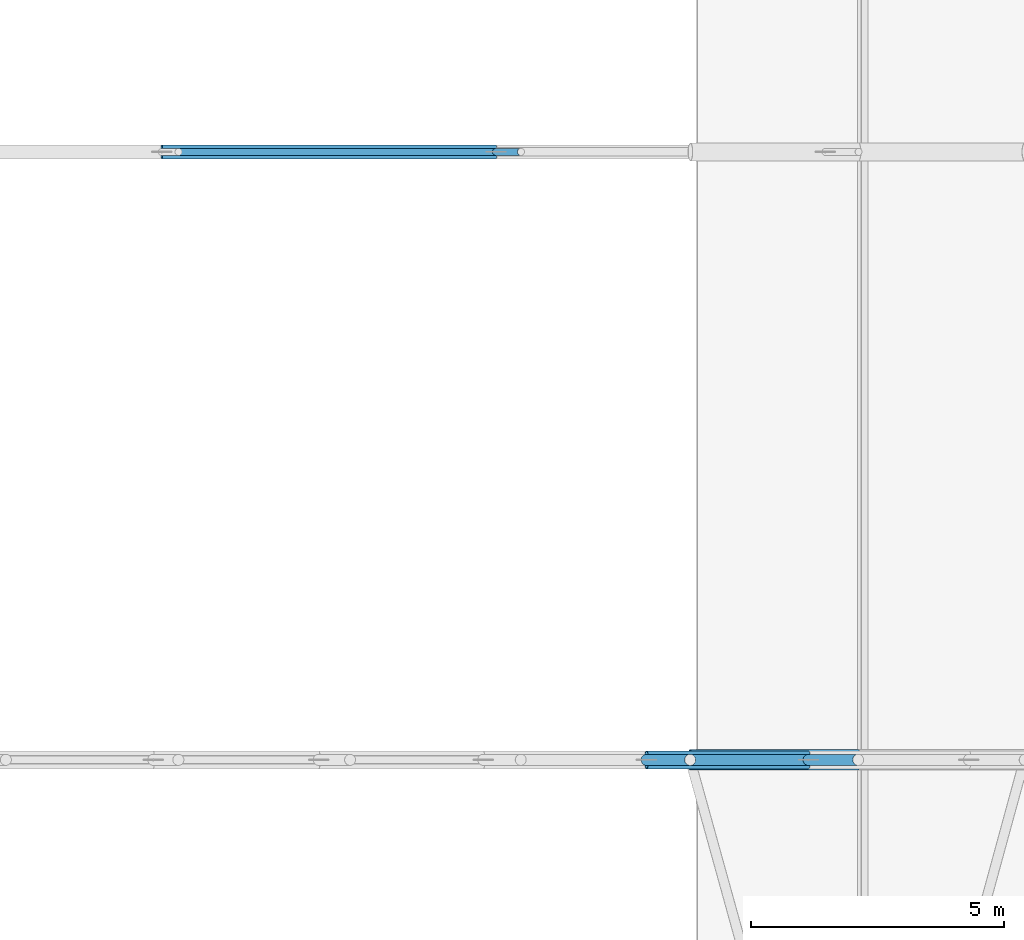
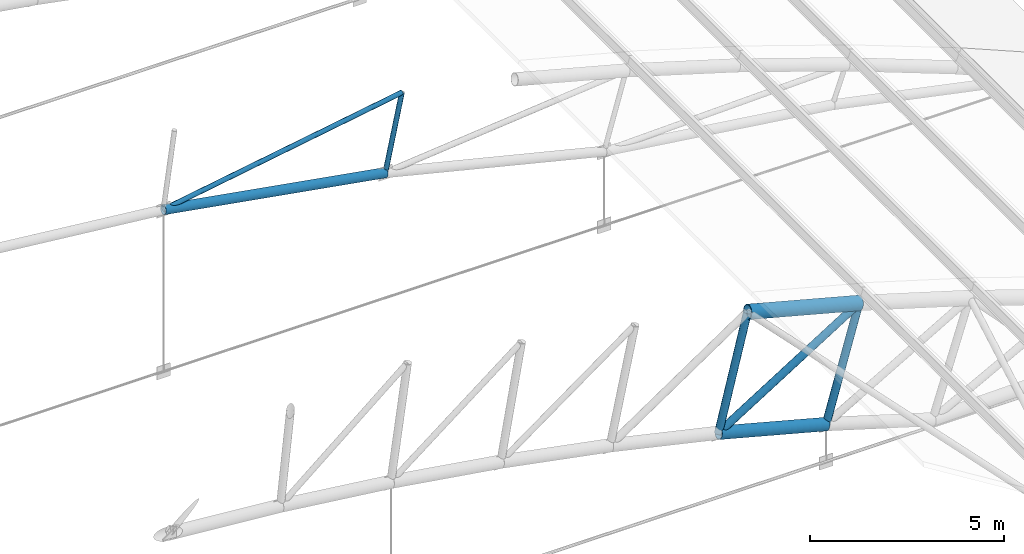
# One storey, part 108 of 321: 8 members.
"""IFC4 building model written with IfcOpenShell, lengths in metres."""

from ifc_helpers import new_model, si_unit, direction, frame, origin, origin_2d, place, context, subcontext, project, spatial, hollow_circle, extrude, material, material_profile, profile_set, type_object, element, save


model = new_model("IFC4")

# Units and contexts
model_context = context("Model", 3, precision=1e-05, world=origin(), true_north=direction((0.0, 1.0)))
body_context = subcontext(model_context, "Body", "Model", "MODEL_VIEW")
ifc_project = project(units=[si_unit("LENGTHUNIT", "METRE"), si_unit("AREAUNIT", "SQUARE_METRE"), si_unit("VOLUMEUNIT", "CUBIC_METRE"), si_unit("PLANEANGLEUNIT", "RADIAN"), si_unit("MASSUNIT", "GRAM", prefix="KILO")], contexts=[model_context])

# Site, building, storey
site_placement = place(None, origin())
site = spatial("IfcSite", under=ifc_project, at=site_placement, CompositionType="ELEMENT")
building_placement = place(site_placement, origin())
building = spatial("IfcBuilding", under=site, at=building_placement, Name="Ravi Spectrum Wholesale Market", CompositionType="ELEMENT")
storey_placement = place(building_placement, frame((0.0, 0.0, 10.800048828125)))
storey = spatial("IfcBuildingStorey", under=building, at=storey_placement, Name="L02", CompositionType="ELEMENT", Elevation=10.800048828125)

# Members
ifc_material_1 = material(Name="Steel S355", Category="steel")
ifc_material_profile_1 = material_profile(ifc_material_1, hollow_circle(Radius=0.06982421875, WallThickness=0.0048828125, at=origin_2d()))
ifc_profile_set_1 = profile_set([ifc_material_profile_1], Name="Steel S355")
member_type_1 = type_object("IfcMemberType", Name="CHS 139.7x5 brace", PredefinedType="BRACE", material=ifc_profile_set_1)
member_1_placement = place(storey_placement, frame((90.44140625, 138.0, 6.30224609375), z_axis=(-0.985982518253, 0.0, -0.166848655074), x_axis=(0.0, -1.0, 0.0)))
element("IfcMember", 1, at=member_1_placement, inside=storey, type_object=member_type_1, Name="H1-MB-L02-802", PredefinedType="BRACE", context=body_context, shape_type="SweptSolid", body=[
    extrude(hollow_circle(Radius=0.06982421875, WallThickness=0.0048828125, at=origin_2d()), origin(), (0.0, 0.0, 1.0), 7.1904296875),
])
ifc_material_2 = material(Name="Steel S355", Category="steel")
ifc_material_profile_2 = material_profile(ifc_material_2, hollow_circle(Radius=0.06982421875, WallThickness=0.0048828125, at=origin_2d()))
ifc_profile_set_2 = profile_set([ifc_material_profile_2], Name="Steel S355")
member_type_2 = type_object("IfcMemberType", Name="CHS 139.7x5 post", PredefinedType="POST", material=ifc_profile_set_2)
member_2_placement = place(storey_placement, frame((90.44140625, 138.0, 6.30224609375), z_axis=(-0.20547728987, 0.0, -0.978661884078), x_axis=(0.0, -1.0, 0.0)))
element("IfcMember", 2, at=member_2_placement, inside=storey, type_object=member_type_2, Name="H1-MB-L02-792", PredefinedType="POST", context=body_context, shape_type="SweptSolid", body=[
    extrude(hollow_circle(Radius=0.06982421875, WallThickness=0.0048828125, at=origin_2d()), origin(), (0.0, 0.0, 1.0), 2.400146484375),
])
ifc_material_3 = material(Name="Steel S355", Category="steel")
ifc_material_profile_3 = material_profile(ifc_material_3, hollow_circle(Radius=0.109619140625, WallThickness=0.008056640625, at=origin_2d()))
ifc_profile_set_3 = profile_set([ifc_material_profile_3], Name="Steel S355")
member_type_3 = type_object("IfcMemberType", Name="CHS 219.1x8 brace", PredefinedType="BRACE", material=ifc_profile_set_3)
member_3_placement = place(storey_placement, frame((97.096923828125, 126.0, 4.63671875), z_axis=(-0.847368909482, 0.0, -0.531004643335), x_axis=(0.0, -1.0, 0.0)))
element("IfcMember", 3, at=member_3_placement, inside=storey, type_object=member_type_3, Name="H1-MB-L02-738", PredefinedType="BRACE", context=body_context, shape_type="SweptSolid", body=[
    extrude(hollow_circle(Radius=0.109619140625, WallThickness=0.008056640625, at=origin_2d()), origin(), (0.0, 0.0, 1.0), 4.9296875),
])
ifc_material_4 = material(Name="Steel S355", Category="steel")
ifc_material_profile_4 = material_profile(ifc_material_4, hollow_circle(Radius=0.109619140625, WallThickness=0.008056640625, at=origin_2d()))
ifc_profile_set_4 = profile_set([ifc_material_profile_4], Name="Steel S355")
member_type_4 = type_object("IfcMemberType", Name="CHS 219.1x8 post", PredefinedType="POST", material=ifc_profile_set_4)
for number, where, z_axis, x_axis, name in (
    (4, (93.78076171875, 126.0, 5.514404296875), (-0.239199072456, 0.0, -0.970970547306), (0.0, -1.0, 0.0), "H1-MB-L02-715"),
    (5, (97.096923828125, 126.0, 4.63671875), (-0.272561766134, 0.0, -0.962138287172), (0.0, -1.0, 0.0), "H1-MB-L02-716"),
):
    element("IfcMember", number, at=place(storey_placement, frame(where, z_axis=z_axis, x_axis=x_axis)), inside=storey, type_object=member_type_4, Name=name, PredefinedType="POST", context=body_context, shape_type="SweptSolid", body=[
        extrude(hollow_circle(Radius=0.109619140625, WallThickness=0.008056640625, at=origin_2d()), origin(), (0.0, 0.0, 1.0), 3.599853515625),
    ])
ifc_material_5 = material(Name="Steel S355", Category="steel")
ifc_material_profile_5 = material_profile(ifc_material_5, hollow_circle(Radius=0.136474609375, WallThickness=0.010009765625, at=origin_2d()))
ifc_profile_set_5 = profile_set([ifc_material_profile_5], Name="Steel S355")
member_type_5 = type_object("IfcMemberType", Name="CHS 273x10 chord", PredefinedType="CHORD", material=ifc_profile_set_5)
member_4_placement = place(storey_placement, frame((83.351806640625, 138.0, 5.1025390625), z_axis=(0.985162205886, 0.0, -0.171625837489), x_axis=(0.0, 1.0, 0.0)))
element("IfcMember", 6, at=member_4_placement, inside=storey, type_object=member_type_5, Name="H1-MB-L02-780", PredefinedType="CHORD", context=body_context, shape_type="SweptSolid", body=[
    extrude(hollow_circle(Radius=0.136474609375, WallThickness=0.010009765625, at=origin_2d()), origin(), (0.0, 0.0, 1.0), 6.69580078125),
])
ifc_material_6 = material(Name="Steel S355", Category="steel")
ifc_material_profile_6 = material_profile(ifc_material_6, hollow_circle(Radius=0.177734375, WallThickness=0.012451171875, at=origin_2d()))
ifc_profile_set_6 = profile_set([ifc_material_profile_6], Name="Steel S355")
member_type_6 = type_object("IfcMemberType", Name="CHS 355.6x12.5 chord", PredefinedType="CHORD", material=ifc_profile_set_6)
member_5_placement = place(storey_placement, frame((92.919677734375, 126.0, 2.01904296875), z_axis=(0.966710063159, 0.0, -0.255874292938), x_axis=(0.0, 1.0, 0.0)))
element("IfcMember", 7, at=member_5_placement, inside=storey, type_object=member_type_6, Name="H1-MB-L02-692", PredefinedType="CHORD", context=body_context, shape_type="SweptSolid", body=[
    extrude(hollow_circle(Radius=0.177734375, WallThickness=0.012451171875, at=origin_2d()), origin(), (0.0, 0.0, 1.0), 3.30615234375),
])
ifc_material_7 = material(Name="Steel S355", Category="steel")
ifc_material_profile_7 = material_profile(ifc_material_7, hollow_circle(Radius=0.203125, WallThickness=0.01611328125, at=origin_2d()))
ifc_profile_set_7 = profile_set([ifc_material_profile_7], Name="Steel S355")
member_type_7 = type_object("IfcMemberType", Name="CHS 406.4x16 chord", PredefinedType="CHORD", material=ifc_profile_set_7)
member_6_placement = place(storey_placement, frame((93.78076171875, 126.0, 5.514404296875), z_axis=(0.966714030155, 0.0, -0.255859304896), x_axis=(0.0, 1.0, 0.0)))
element("IfcMember", 8, at=member_6_placement, inside=storey, type_object=member_type_7, Name="H1-MB-L02-668", PredefinedType="CHORD", context=body_context, shape_type="SweptSolid", body=[
    extrude(hollow_circle(Radius=0.203125, WallThickness=0.01611328125, at=origin_2d()), origin(), (0.0, 0.0, 1.0), 3.430419921875),
])

save(model, "model.ifc")
